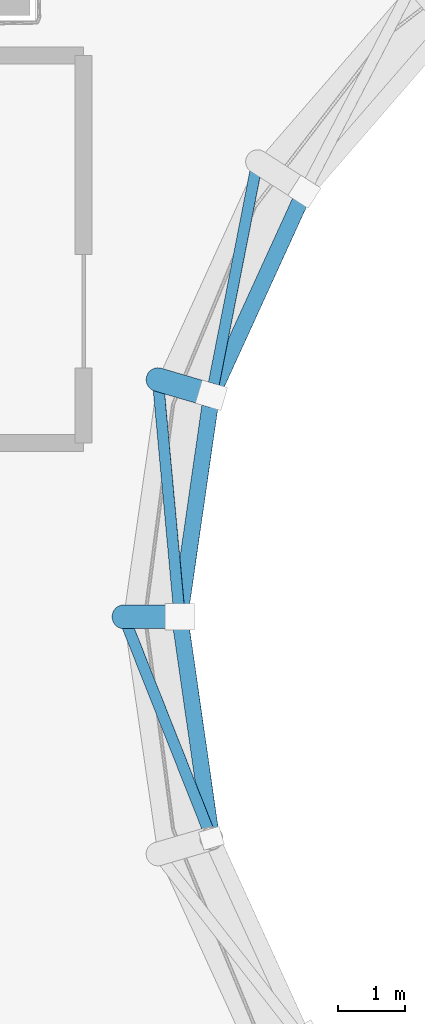
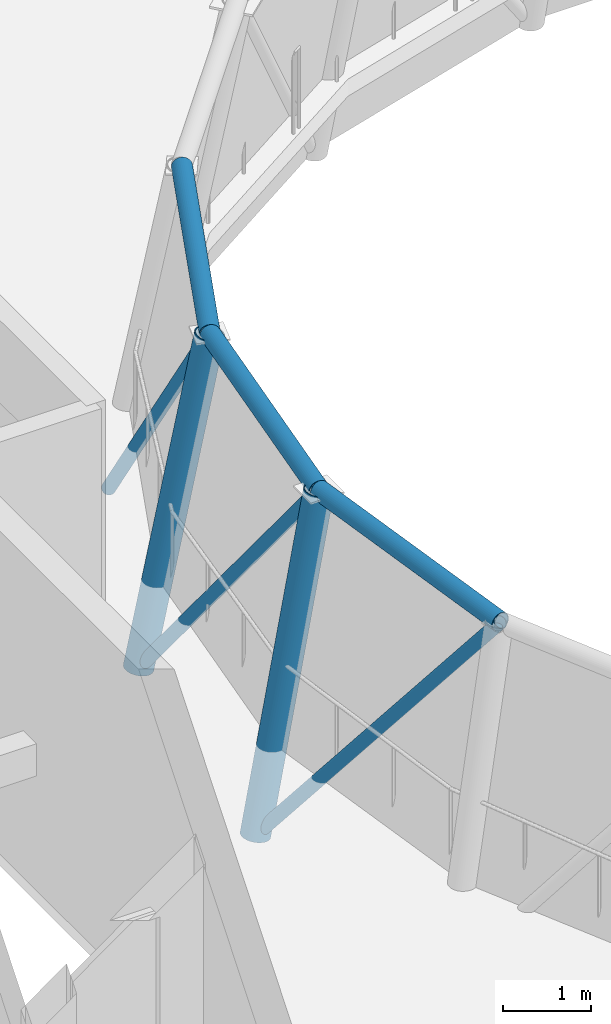
# One storey, part 16 of 46: 5 beams, 3 members.
"""IFC4 building model written with IfcOpenShell, lengths in metres."""

from ifc_helpers import new_model, si_unit, direction, frame, origin, origin_2d, place, context, subcontext, project, spatial, hollow_circle, extrude, material, material_profile, profile_set, type_object, element, save


model = new_model("IFC4")

# Units and contexts
model_context = context("Model", 3, precision=1e-05, world=origin(), true_north=direction((0.0, 1.0)))
body_context = subcontext(model_context, "Body", "Model", "MODEL_VIEW")
ifc_project = project(units=[si_unit("LENGTHUNIT", "METRE"), si_unit("AREAUNIT", "SQUARE_METRE"), si_unit("VOLUMEUNIT", "CUBIC_METRE"), si_unit("PLANEANGLEUNIT", "RADIAN"), si_unit("MASSUNIT", "GRAM", prefix="KILO")], contexts=[model_context])

# Site, building, storey
site_placement = place(None, origin())
site = spatial("IfcSite", under=ifc_project, at=site_placement, CompositionType="ELEMENT")
building_placement = place(site_placement, origin())
building = spatial("IfcBuilding", under=site, at=building_placement, Name="Pelvatis Terrace Science Centre", CompositionType="ELEMENT")
storey_placement = place(building_placement, frame((0.0, 0.0, 19.800048828125)))
storey = spatial("IfcBuildingStorey", under=building, at=storey_placement, Name="L04", CompositionType="ELEMENT", Elevation=19.800048828125)

# Beams
ifc_material_1 = material(Name="Structural steel S355", Category="steel")
ifc_material_profile_1 = material_profile(ifc_material_1, hollow_circle(Radius=0.177734375, WallThickness=0.012451171875, at=origin_2d()), Name="CHS 355.6x12.5")
ifc_profile_set_1 = profile_set([ifc_material_profile_1], Name="Structural steel S355")
beam_type_1 = type_object("IfcBeamType", Name="BM-DOME-CHS355", PredefinedType="BEAM", material=ifc_profile_set_1)
for number, where, z_axis, x_axis, name in (
    (1, (97.1103515625, 89.349853515625, -1.199951171875), (0.174853899514, -0.051355690766, 0.983254141537), (0.281803045365, 0.959472273504, 0.0), "Planetarium meridional dome rib 11.1"),
    (2, (96.60009765625, 85.800048828125, -1.199951171875), (0.182243459435, 0.0, 0.983253437061), (0.0, 1.0, 0.0), "Planetarium meridional dome rib 12.1"),
):
    element("IfcBeam", number, at=place(storey_placement, frame(where, z_axis=z_axis, x_axis=x_axis)), inside=storey, type_object=beam_type_1, Name=name, PredefinedType="BEAM", context=body_context, shape_type="SweptSolid", body=[
        extrude(hollow_circle(Radius=0.177734375, WallThickness=0.012451171875, at=origin_2d()), origin(), (0.0, 0.0, 1.0), 4.59228515625),
    ])
ifc_material_2 = material(Name="Structural steel S355", Category="steel")
ifc_material_profile_2 = material_profile(ifc_material_2, hollow_circle(Radius=0.122314453125, WallThickness=0.010009765625, at=origin_2d()), Name="CHS 244.5x10.0")
ifc_profile_set_2 = profile_set([ifc_material_profile_2], Name="Structural steel S355")
beam_type_2 = type_object("IfcBeamType", Name="BM-HOOP-CHS244", PredefinedType="BEAM", material=ifc_profile_set_2)
beam_1_placement = place(storey_placement, frame((99.30419921875, 92.15966796875, 3.3154296875), z_axis=(-0.415406469378, -0.909635897049, 0.0), x_axis=(0.909635897049, -0.415406469378, 0.0)))
element("IfcBeam", 3, at=beam_1_placement, inside=storey, type_object=beam_type_2, Name="Planetarium dome hoop ring 2.10", PredefinedType="BEAM", context=body_context, shape_type="SweptSolid", body=[
    extrude(hollow_circle(Radius=0.122314453125, WallThickness=0.010009765625, at=origin_2d()), origin(), (0.0, 0.0, 1.0), 3.34814453125),
])
beam_2_placement = place(storey_placement, frame((97.913330078125, 89.114013671875, 3.3154296875), z_axis=(-0.142268645106, -0.989828082355, 0.0), x_axis=(0.989828082355, -0.142268645106, 0.0)))
element("IfcBeam", 4, at=beam_2_placement, inside=storey, type_object=beam_type_2, Name="Planetarium dome hoop ring 2.11", PredefinedType="BEAM", context=body_context, shape_type="SweptSolid", body=[
    extrude(hollow_circle(Radius=0.122314453125, WallThickness=0.010009765625, at=origin_2d()), origin(), (0.0, 0.0, 1.0), 3.347900390625),
])
beam_3_placement = place(storey_placement, frame((97.43701171875, 85.800048828125, 3.3154296875), z_axis=(0.142258377012, -0.989829558141, 0.0), x_axis=(0.989829558141, 0.142258377012, 0.0)))
element("IfcBeam", 5, at=beam_3_placement, inside=storey, type_object=beam_type_2, Name="Planetarium dome hoop ring 2.12", PredefinedType="BEAM", context=body_context, shape_type="SweptSolid", body=[
    extrude(hollow_circle(Radius=0.122314453125, WallThickness=0.010009765625, at=origin_2d()), origin(), (0.0, 0.0, 1.0), 3.34814453125),
])

# Members
ifc_material_3 = material(Name="Structural steel S355", Category="steel")
ifc_material_profile_3 = material_profile(ifc_material_3, hollow_circle(Radius=0.084228515625, WallThickness=0.00634765625, at=origin_2d()), Name="CHS 168.3x6.3")
ifc_profile_set_3 = profile_set([ifc_material_profile_3], Name="Structural steel S355")
member_type = type_object("IfcMemberType", Name="MEM-BRC-CHS168", PredefinedType="BRACE", material=ifc_profile_set_3)
for number, where, z_axis, x_axis, name in (
    (6, (98.60009765625, 92.612060546875, -1.199951171875), (-0.119376211509, -0.608042075543, 0.78487843294), (0.981267320044, -0.192651100732, 0.0), "Planetarium dome lateral brace 1.10"),
    (7, (97.1103515625, 89.349853515625, -1.199951171875), (0.056781287105, -0.617040294853, 0.784880347545), (0.995792677087, 0.091634841949, 0.0), "Planetarium dome lateral brace 1.11"),
    (8, (96.60009765625, 85.800048828125, -1.199951171875), (0.22826840584, -0.576081726954, 0.784871568325), (0.929676190191, 0.368377769948, 0.0), "Planetarium dome lateral brace 1.12"),
):
    element("IfcMember", number, at=place(storey_placement, frame(where, z_axis=z_axis, x_axis=x_axis)), inside=storey, type_object=member_type, Name=name, PredefinedType="BRACE", context=body_context, shape_type="SweptSolid", body=[
        extrude(hollow_circle(Radius=0.084228515625, WallThickness=0.00634765625, at=origin_2d()), origin(), (0.0, 0.0, 1.0), 5.7529296875),
    ])

save(model, "model.ifc")
